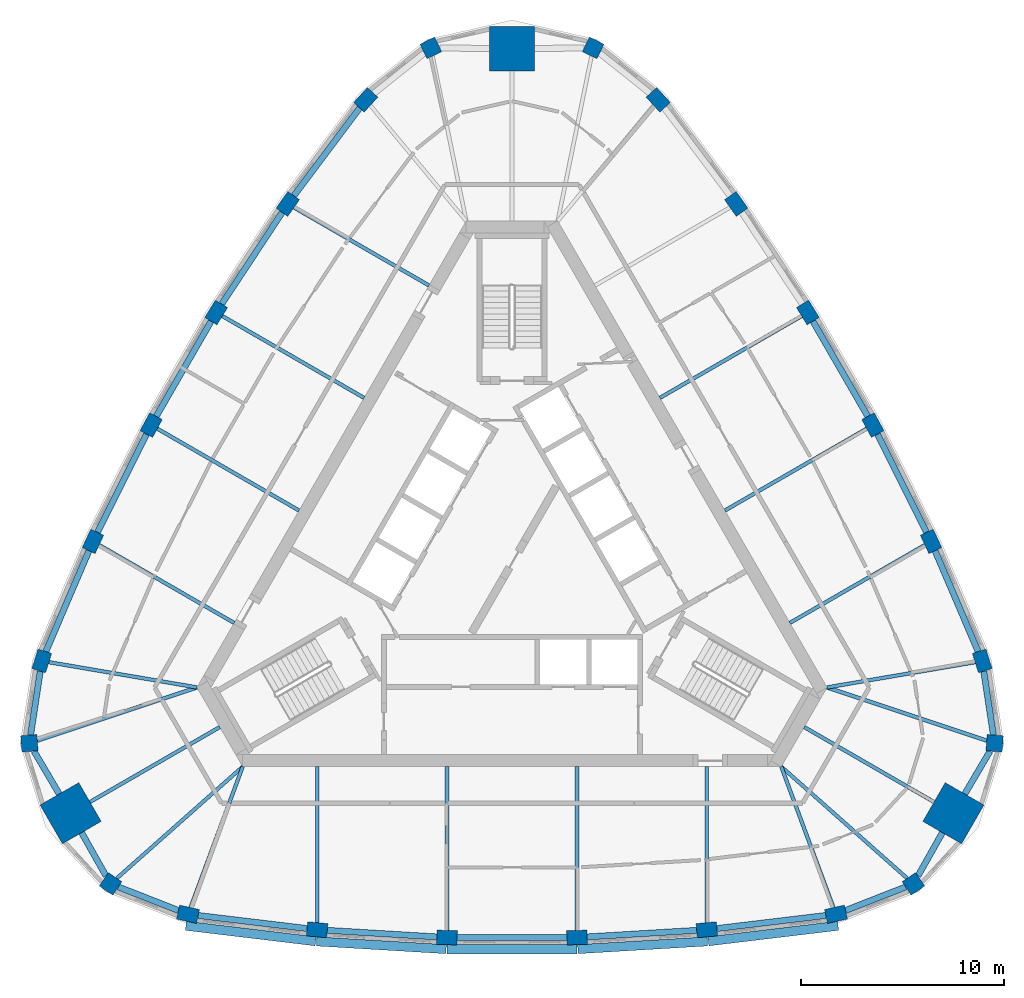
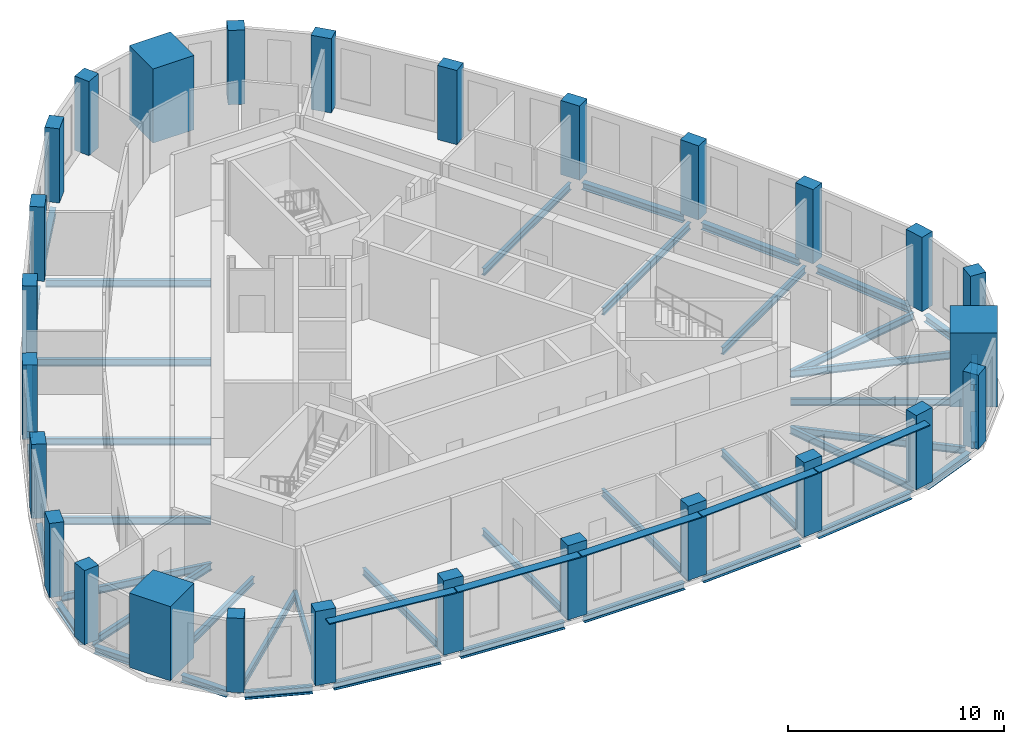
# One storey, part 1 of 10: 42 beams, 27 columns, 5 members.
"""IFC4 building model written with IfcOpenShell, lengths in metres."""

from ifc_helpers import new_model, si_unit, direction, frame, origin, origin_2d, place, context, subcontext, project, spatial, rectangle, i_section, extrude, material, material_profile, profile_set, type_object, element, save


model = new_model("IFC4")

# Units and contexts
model_context = context("Model", 3, precision=1e-05, world=origin(), true_north=direction((0.0, 1.0)))
body_context = subcontext(model_context, "Body", "Model", "MODEL_VIEW")
ifc_project = project(units=[si_unit("LENGTHUNIT", "METRE"), si_unit("AREAUNIT", "SQUARE_METRE"), si_unit("VOLUMEUNIT", "CUBIC_METRE"), si_unit("PLANEANGLEUNIT", "RADIAN"), si_unit("MASSUNIT", "GRAM", prefix="KILO")], contexts=[model_context])

# Site, building, storey
site_placement = place(None, origin())
site = spatial("IfcSite", under=ifc_project, at=site_placement, CompositionType="ELEMENT")
building_placement = place(site_placement, origin())
building = spatial("IfcBuilding", under=site, at=building_placement, Name="Mestral Congress Tower", CompositionType="ELEMENT")
storey_placement = place(building_placement, frame((0.0, 0.0, 267.0)))
storey = spatial("IfcBuildingStorey", under=building, at=storey_placement, Name="L62", CompositionType="ELEMENT", Elevation=267.0)

# Columns
ifc_material_1 = material(Name="Concrete C60/75", Category="concrete")
ifc_material_profile_1 = material_profile(ifc_material_1, rectangle(XDim=1.0, YDim=0.699951171875, at=origin_2d()), Name="RC 1000x700")
ifc_profile_set_1 = profile_set([ifc_material_profile_1], Name="Concrete C60/75")
column_type_1 = type_object("IfcColumnType", Name="Column RC 1000x700 C60/75", PredefinedType="COLUMN", material=ifc_profile_set_1)
for number, where, z_axis, x_axis, name in (
    (1, (-15.940673828125, -17.511962890625, 0.0), (0.0, 0.0, 1.0), (0.976233636503, -0.216720758026, 0.0), "COL-L62-C5-S00"),
    (2, (-9.587158203125, -18.273681640625, 0.0), (0.0, 0.0, 1.0), (0.995997816519, -0.089377567035, 0.0), "COL-L62-C5-S01"),
    (3, (-3.199462890625, -18.6552734375, 0.0), (0.0, 0.0, 1.0), (0.999555031657, -0.029828487872, 0.0), "COL-L62-C5-S02"),
    (4, (3.199462890625, -18.6552734375, 0.0), (0.0, 0.0, 1.0), (0.999555031657, 0.029828487872, 0.0), "COL-L62-C5-S03"),
    (5, (9.587158203125, -18.273681640625, 0.0), (0.0, 0.0, 1.0), (0.995997816519, 0.089377567035, 0.0), "COL-L62-C5-S04"),
    (6, (15.940673828125, -17.511962890625, 0.0), (0.0, 0.0, 1.0), (0.976233636503, 0.216720758026, 0.0), "COL-L62-C5-S05"),
    (7, (23.135986328125, -5.049072265625, 0.0), (0.0, 0.0, 1.0), (-0.300431136274, 0.953803508254, 0.0), "COL-L62-C5-E00"),
    (8, (20.618896484375, 0.833984375, 0.0), (0.0, 0.0, 1.0), (-0.420595664679, 0.907248194737, 0.0), "COL-L62-C5-E01"),
    (9, (17.755615234375, 6.556640625, 0.0), (0.0, 0.0, 1.0), (-0.473945287575, 0.880554293832, 0.0), "COL-L62-C5-E02"),
    (10, (14.55615234375, 12.098388671875, 0.0), (0.0, 0.0, 1.0), (-0.525609744083, 0.850725805959, 0.0), "COL-L62-C5-E03"),
    (11, (11.031982421875, 17.439697265625, 0.0), (0.0, 0.0, 1.0), (-0.57540215184, 0.817870627702, 0.0), "COL-L62-C5-E04"),
    (12, (7.1953125, 22.56103515625, 0.0), (0.0, 0.0, 1.0), (-0.67580250023, 0.737082750228, 0.0), "COL-L62-C5-E05"),
    (13, (-7.1953125, 22.56103515625, 0.0), (0.0, 0.0, 1.0), (-0.67580250023, -0.737082750228, 0.0), "COL-L62-C5-W00"),
    (14, (-11.031982421875, 17.439697265625, 0.0), (0.0, 0.0, 1.0), (-0.57540215184, -0.817870627702, 0.0), "COL-L62-C5-W01"),
    (15, (-14.55615234375, 12.098388671875, 0.0), (0.0, 0.0, 1.0), (-0.525609744083, -0.850725805959, 0.0), "COL-L62-C5-W02"),
    (16, (-17.755615234375, 6.556640625, 0.0), (0.0, 0.0, 1.0), (-0.473945287575, -0.880554293832, 0.0), "COL-L62-C5-W03"),
    (17, (-20.618896484375, 0.833984375, 0.0), (0.0, 0.0, 1.0), (-0.420595664679, -0.907248194737, 0.0), "COL-L62-C5-W04"),
    (18, (-23.135986328125, -5.049072265625, 0.0), (0.0, 0.0, 1.0), (-0.300431136274, -0.953803508254, 0.0), "COL-L62-C5-W05"),
):
    element("IfcColumn", number, at=place(storey_placement, frame(where, z_axis=z_axis, x_axis=x_axis)), inside=storey, type_object=column_type_1, Name=name, PredefinedType="COLUMN", context=body_context, shape_type="SweptSolid", body=[
        extrude(rectangle(XDim=1.0, YDim=0.699951171875, at=origin_2d()), origin(), (0.0, 0.0, 1.0), 4.199951171875),
    ])
ifc_material_profile_2 = material_profile(ifc_material_1, rectangle(XDim=0.800048828125, YDim=0.800048828125, at=origin_2d()), Name="RC 800x800")
ifc_profile_set_2 = profile_set([ifc_material_profile_2], Name="Concrete C60/75")
column_type_2 = type_object("IfcColumnType", Name="Column RC 800x800 C60/75", PredefinedType="COLUMN", material=ifc_profile_set_2)
for number, where, z_axis, x_axis, name in (
    (19, (19.75439453125, -16.0166015625, 0.0), (0.0, 0.0, 1.0), (0.826362775296, 0.563138139008, 0.0), "COL-L62-C5-SE1"),
    (20, (23.748046875, -9.099609375, 0.0), (0.0, 0.0, 1.0), (0.074510546573, 0.997220225652, 0.0), "COL-L62-C5-SE3"),
    (21, (3.993408203125, 25.1162109375, 0.0), (0.0, 0.0, 1.0), (-0.900873321869, 0.434082086644, 0.0), "COL-L62-C5-N1"),
    (22, (-3.993408203125, 25.1162109375, 0.0), (0.0, 0.0, 1.0), (-0.900873321869, -0.434082086644, 0.0), "COL-L62-C5-N3"),
    (23, (-23.748046875, -9.099609375, 0.0), (0.0, 0.0, 1.0), (0.074510546573, -0.997220225652, 0.0), "COL-L62-C5-SW1"),
    (24, (-19.75439453125, -16.0166015625, 0.0), (0.0, 0.0, 1.0), (0.826362775296, -0.563138139008, 0.0), "COL-L62-C5-SW3"),
):
    element("IfcColumn", number, at=place(storey_placement, frame(where, z_axis=z_axis, x_axis=x_axis)), inside=storey, type_object=column_type_2, Name=name, PredefinedType="COLUMN", context=body_context, shape_type="SweptSolid", body=[
        extrude(rectangle(XDim=0.800048828125, YDim=0.800048828125, at=origin_2d()), origin(), (0.0, 0.0, 1.0), 4.199951171875),
    ])
ifc_material_profile_3 = material_profile(ifc_material_1, rectangle(XDim=2.199951171875, YDim=2.199951171875, at=origin_2d()), Name="RC 2200x2200")
ifc_profile_set_3 = profile_set([ifc_material_profile_3], Name="Concrete C60/75")
column_type_3 = type_object("IfcColumnType", Name="Mega column RC 2200x2200 C60/75", PredefinedType="COLUMN", material=ifc_profile_set_3)
for number, where, z_axis, x_axis, name in (
    (25, (21.71826171875, -12.5390625, 0.0), (0.0, 0.0, 1.0), (0.866025403784, -0.5, 0.0), "COL-L62-PY5-SE"),
    (26, (0.0, 25.078125, 0.0), (0.0, 0.0, 1.0), (0.0, 1.0, 0.0), "COL-L62-PY5-N"),
    (27, (-21.71826171875, -12.5390625, 0.0), (0.0, 0.0, 1.0), (-0.866025403784, -0.5, 0.0), "COL-L62-PY5-SW"),
):
    element("IfcColumn", number, at=place(storey_placement, frame(where, z_axis=z_axis, x_axis=x_axis)), inside=storey, type_object=column_type_3, Name=name, PredefinedType="COLUMN", context=body_context, shape_type="SweptSolid", body=[
        extrude(rectangle(XDim=2.199951171875, YDim=2.199951171875, at=origin_2d()), origin(), (0.0, 0.0, 1.0), 4.199951171875),
    ])

# Members
ifc_material_2 = material(Name="Glazed ceramic", Category="masonry")
ifc_material_profile_4 = material_profile(ifc_material_2, rectangle(XDim=0.449951171875, YDim=0.06005859375, at=origin_2d()), Name="Ceramic blade 450 x 60")
ifc_profile_set_4 = profile_set([ifc_material_profile_4], Name="Glazed ceramic")
member_type = type_object("IfcMemberType", Name="Facade sunshade blade 450 x 60", PredefinedType="USERDEFINED", material=ifc_profile_set_4)
member_1_placement = place(storey_placement, frame((-16.04638671875, -18.078369140625, 3.679931640625), z_axis=(0.992890306953, -0.119032929725, 0.0), x_axis=(0.119032929725, 0.992890306953, 0.0)))
element("IfcMember", 28, at=member_1_placement, inside=storey, type_object=member_type, Name="Sunshade F0-00", ObjectType="SUNSHADE", PredefinedType="USERDEFINED", context=body_context, shape_type="SweptSolid", body=[
    extrude(rectangle(XDim=0.449951171875, YDim=0.06005859375, at=origin_2d()), origin(), (0.0, 0.0, 1.0), 6.429931640625),
])
member_2_placement = place(storey_placement, frame((-9.614990234375, -18.84814453125, 3.679931640625), z_axis=(0.998222174469, -0.059602771735, 0.0), x_axis=(0.059602771735, 0.998222174469, 0.0)))
element("IfcMember", 29, at=member_2_placement, inside=storey, type_object=member_type, Name="Sunshade F0-01", ObjectType="SUNSHADE", PredefinedType="USERDEFINED", context=body_context, shape_type="SweptSolid", body=[
    extrude(rectangle(XDim=0.449951171875, YDim=0.06005859375, at=origin_2d()), origin(), (0.0, 0.0, 1.0), 6.385986328125),
])
member_3_placement = place(storey_placement, frame((-3.193115234375, -19.230224609375, 3.679931640625), z_axis=(1.0, 0.0, 0.0), x_axis=(0.0, 1.0, 0.0)))
element("IfcMember", 30, at=member_3_placement, inside=storey, type_object=member_type, Name="Sunshade F0-02", ObjectType="SUNSHADE", PredefinedType="USERDEFINED", context=body_context, shape_type="SweptSolid", body=[
    extrude(rectangle(XDim=0.449951171875, YDim=0.06005859375, at=origin_2d()), origin(), (0.0, 0.0, 1.0), 6.38623046875),
])
member_4_placement = place(storey_placement, frame((3.240478515625, -19.228759765625, 3.679931640625), z_axis=(0.998222174469, 0.059602771735, 0.0), x_axis=(-0.059602771735, 0.998222174469, 0.0)))
element("IfcMember", 31, at=member_4_placement, inside=storey, type_object=member_type, Name="Sunshade F0-03", ObjectType="SUNSHADE", PredefinedType="USERDEFINED", context=body_context, shape_type="SweptSolid", body=[
    extrude(rectangle(XDim=0.449951171875, YDim=0.06005859375, at=origin_2d()), origin(), (0.0, 0.0, 1.0), 6.385986328125),
])
member_5_placement = place(storey_placement, frame((9.662109375, -18.84375, 3.679931640625), z_axis=(0.992890306953, 0.119032929725, 0.0), x_axis=(-0.119032929725, 0.992890306953, 0.0)))
element("IfcMember", 32, at=member_5_placement, inside=storey, type_object=member_type, Name="Sunshade F0-04", ObjectType="SUNSHADE", PredefinedType="USERDEFINED", context=body_context, shape_type="SweptSolid", body=[
    extrude(rectangle(XDim=0.449951171875, YDim=0.06005859375, at=origin_2d()), origin(), (0.0, 0.0, 1.0), 6.429931640625),
])

# Beams
ifc_material_3 = material(Name="Steel S355", Category="steel")
ifc_material_profile_5 = material_profile(ifc_material_3, i_section(OverallWidth=0.179931640625, OverallDepth=0.39990234375, WebThickness=0.008544921875, FlangeThickness=0.013427734375, FilletRadius=0.02099609375, at=origin_2d()), Name="IPE 400")
ifc_profile_set_5 = profile_set([ifc_material_profile_5], Name="Steel S355")
beam_type_1 = type_object("IfcBeamType", Name="Floor beam IPE 400 S355", PredefinedType="BEAM", material=ifc_profile_set_5)
beam_1_placement = place(storey_placement, frame((-15.81787109375, -17.1806640625, -0.449951171875), z_axis=(0.347399345496, 0.937717278687, 0.0), x_axis=(-0.937717278687, 0.347399345496, 0.0)))
element("IfcBeam", 33, at=beam_1_placement, inside=storey, type_object=beam_type_1, Name="BM-L62-RB5-S00", PredefinedType="BEAM", context=body_context, shape_type="SweptSolid", body=[
    extrude(i_section(OverallWidth=0.179931640625, OverallDepth=0.39990234375, WebThickness=0.008544921875, FlangeThickness=0.013427734375, FilletRadius=0.02099609375, at=origin_2d()), origin(), (0.0, 0.0, 1.0), 7.39111328125),
])
beam_2_placement = place(storey_placement, frame((-9.587158203125, -17.92236328125, -0.449951171875), z_axis=(0.0, 1.0, 0.0), x_axis=(-1.0, 0.0, 0.0)))
element("IfcBeam", 34, at=beam_2_placement, inside=storey, type_object=beam_type_1, Name="BM-L62-RB5-S01", PredefinedType="BEAM", context=body_context, shape_type="SweptSolid", body=[
    extrude(i_section(OverallWidth=0.179931640625, OverallDepth=0.39990234375, WebThickness=0.008544921875, FlangeThickness=0.013427734375, FilletRadius=0.02099609375, at=origin_2d()), origin(), (0.0, 0.0, 1.0), 7.67236328125),
])
for number, where, z_axis, x_axis, name in (
    (35, (-3.199462890625, -18.304931640625, -0.449951171875), (0.0, 1.0, 0.0), (-1.0, 0.0, 0.0), "BM-L62-RB5-S02"),
    (36, (3.199462890625, -18.304931640625, -0.449951171875), (0.0, 1.0, 0.0), (-1.0, 0.0, 0.0), "BM-L62-RB5-S03"),
):
    element("IfcBeam", number, at=place(storey_placement, frame(where, z_axis=z_axis, x_axis=x_axis)), inside=storey, type_object=beam_type_1, Name=name, PredefinedType="BEAM", context=body_context, shape_type="SweptSolid", body=[
        extrude(i_section(OverallWidth=0.179931640625, OverallDepth=0.39990234375, WebThickness=0.008544921875, FlangeThickness=0.013427734375, FilletRadius=0.02099609375, at=origin_2d()), origin(), (0.0, 0.0, 1.0), 8.054931640625),
    ])
beam_3_placement = place(storey_placement, frame((9.587158203125, -17.92236328125, -0.449951171875), z_axis=(0.0, 1.0, 0.0), x_axis=(-1.0, 0.0, 0.0)))
element("IfcBeam", 37, at=beam_3_placement, inside=storey, type_object=beam_type_1, Name="BM-L62-RB5-S04", PredefinedType="BEAM", context=body_context, shape_type="SweptSolid", body=[
    extrude(i_section(OverallWidth=0.179931640625, OverallDepth=0.39990234375, WebThickness=0.008544921875, FlangeThickness=0.013427734375, FilletRadius=0.02099609375, at=origin_2d()), origin(), (0.0, 0.0, 1.0), 7.67236328125),
])
beam_4_placement = place(storey_placement, frame((15.81787109375, -17.1806640625, -0.449951171875), z_axis=(-0.347399345496, 0.937717278687, 0.0), x_axis=(-0.937717278687, -0.347399345496, 0.0)))
element("IfcBeam", 38, at=beam_4_placement, inside=storey, type_object=beam_type_1, Name="BM-L62-RB5-S05", PredefinedType="BEAM", context=body_context, shape_type="SweptSolid", body=[
    extrude(i_section(OverallWidth=0.179931640625, OverallDepth=0.39990234375, WebThickness=0.008544921875, FlangeThickness=0.013427734375, FilletRadius=0.02099609375, at=origin_2d()), origin(), (0.0, 0.0, 1.0), 7.39111328125),
])
beam_5_placement = place(storey_placement, frame((19.44580078125, -15.742919921875, -0.449951171875), z_axis=(-0.74826277439, 0.663402457383, 0.0), x_axis=(-0.663402457383, -0.74826277439, 0.0)))
element("IfcBeam", 39, at=beam_5_placement, inside=storey, type_object=beam_type_1, Name="BM-L62-RB5-SE1", PredefinedType="BEAM", context=body_context, shape_type="SweptSolid", body=[
    extrude(i_section(OverallWidth=0.179931640625, OverallDepth=0.39990234375, WebThickness=0.008544921875, FlangeThickness=0.013427734375, FilletRadius=0.02099609375, at=origin_2d()), origin(), (0.0, 0.0, 1.0), 8.280029296875),
])
beam_6_placement = place(storey_placement, frame((20.765625, -11.989013671875, -0.449951171875), z_axis=(-0.866031296205, 0.499989793889, 0.0), x_axis=(-0.499989793889, -0.866031296205, 0.0)))
element("IfcBeam", 40, at=beam_6_placement, inside=storey, type_object=beam_type_1, Name="BM-L62-RB5-SE", PredefinedType="BEAM", context=body_context, shape_type="SweptSolid", body=[
    extrude(i_section(OverallWidth=0.179931640625, OverallDepth=0.39990234375, WebThickness=0.008544921875, FlangeThickness=0.013427734375, FilletRadius=0.02099609375, at=origin_2d()), origin(), (0.0, 0.0, 1.0), 7.378173828125),
])
beam_7_placement = place(storey_placement, frame((23.356689453125, -8.968994140625, -0.449951171875), z_axis=(-0.948659706446, 0.316298532031, 0.0), x_axis=(-0.316298532031, -0.948659706446, 0.0)))
element("IfcBeam", 41, at=beam_7_placement, inside=storey, type_object=beam_type_1, Name="BM-L62-RB5-SE3", PredefinedType="BEAM", context=body_context, shape_type="SweptSolid", body=[
    extrude(i_section(OverallWidth=0.179931640625, OverallDepth=0.39990234375, WebThickness=0.008544921875, FlangeThickness=0.013427734375, FilletRadius=0.02099609375, at=origin_2d()), origin(), (0.0, 0.0, 1.0), 8.27978515625),
])
beam_8_placement = place(storey_placement, frame((22.787841796875, -5.1083984375, -0.449951171875), z_axis=(-0.985786503242, -0.168002886958, 0.0), x_axis=(0.168002886958, -0.985786503242, 0.0)))
element("IfcBeam", 42, at=beam_8_placement, inside=storey, type_object=beam_type_1, Name="BM-L62-RB5-E00", PredefinedType="BEAM", context=body_context, shape_type="SweptSolid", body=[
    extrude(i_section(OverallWidth=0.179931640625, OverallDepth=0.39990234375, WebThickness=0.008544921875, FlangeThickness=0.013427734375, FilletRadius=0.02099609375, at=origin_2d()), origin(), (0.0, 0.0, 1.0), 7.390869140625),
])
beam_9_placement = place(storey_placement, frame((20.314697265625, 0.658447265625, -0.449951171875), z_axis=(-0.866019720907, -0.500009842903, 0.0), x_axis=(0.500009842903, -0.866019720907, 0.0)))
element("IfcBeam", 43, at=beam_9_placement, inside=storey, type_object=beam_type_1, Name="BM-L62-RB5-E01", PredefinedType="BEAM", context=body_context, shape_type="SweptSolid", body=[
    extrude(i_section(OverallWidth=0.179931640625, OverallDepth=0.39990234375, WebThickness=0.008544921875, FlangeThickness=0.013427734375, FilletRadius=0.02099609375, at=origin_2d()), origin(), (0.0, 0.0, 1.0), 7.672119140625),
])
for number, where, z_axis, x_axis, name in (
    (44, (17.452392578125, 6.381591796875, -0.449951171875), (-0.866020537834, -0.500008427979, 0.0), (0.500008427979, -0.866020537834, 0.0), "BM-L62-RB5-E02"),
    (45, (14.2529296875, 11.92333984375, -0.449951171875), (-0.866033662086, -0.499985695929, 0.0), (0.499985695929, -0.866033662086, 0.0), "BM-L62-RB5-E03"),
):
    element("IfcBeam", number, at=place(storey_placement, frame(where, z_axis=z_axis, x_axis=x_axis)), inside=storey, type_object=beam_type_1, Name=name, PredefinedType="BEAM", context=body_context, shape_type="SweptSolid", body=[
        extrude(i_section(OverallWidth=0.179931640625, OverallDepth=0.39990234375, WebThickness=0.008544921875, FlangeThickness=0.013427734375, FilletRadius=0.02099609375, at=origin_2d()), origin(), (0.0, 0.0, 1.0), 8.054931640625),
    ])
beam_10_placement = place(storey_placement, frame((-10.7275390625, 17.263916015625, -0.449951171875), z_axis=(0.866019720907, -0.500009842903, 0.0), x_axis=(0.500009842903, 0.866019720907, 0.0)))
element("IfcBeam", 46, at=beam_10_placement, inside=storey, type_object=beam_type_1, Name="BM-L62-RB5-W01", PredefinedType="BEAM", context=body_context, shape_type="SweptSolid", body=[
    extrude(i_section(OverallWidth=0.179931640625, OverallDepth=0.39990234375, WebThickness=0.008544921875, FlangeThickness=0.013427734375, FilletRadius=0.02099609375, at=origin_2d()), origin(), (0.0, 0.0, 1.0), 7.672119140625),
])
for number, where, z_axis, x_axis, name in (
    (47, (-14.2529296875, 11.92333984375, -0.449951171875), (0.866033662086, -0.499985695929, 0.0), (0.499985695929, 0.866033662086, 0.0), "BM-L62-RB5-W02"),
    (48, (-17.452392578125, 6.381591796875, -0.449951171875), (0.866020537834, -0.500008427979, 0.0), (0.500008427979, 0.866020537834, 0.0), "BM-L62-RB5-W03"),
):
    element("IfcBeam", number, at=place(storey_placement, frame(where, z_axis=z_axis, x_axis=x_axis)), inside=storey, type_object=beam_type_1, Name=name, PredefinedType="BEAM", context=body_context, shape_type="SweptSolid", body=[
        extrude(i_section(OverallWidth=0.179931640625, OverallDepth=0.39990234375, WebThickness=0.008544921875, FlangeThickness=0.013427734375, FilletRadius=0.02099609375, at=origin_2d()), origin(), (0.0, 0.0, 1.0), 8.054931640625),
    ])
beam_11_placement = place(storey_placement, frame((-20.314697265625, 0.658447265625, -0.449951171875), z_axis=(0.866019720907, -0.500009842903, 0.0), x_axis=(0.500009842903, 0.866019720907, 0.0)))
element("IfcBeam", 49, at=beam_11_placement, inside=storey, type_object=beam_type_1, Name="BM-L62-RB5-W04", PredefinedType="BEAM", context=body_context, shape_type="SweptSolid", body=[
    extrude(i_section(OverallWidth=0.179931640625, OverallDepth=0.39990234375, WebThickness=0.008544921875, FlangeThickness=0.013427734375, FilletRadius=0.02099609375, at=origin_2d()), origin(), (0.0, 0.0, 1.0), 7.672119140625),
])
beam_12_placement = place(storey_placement, frame((-22.787841796875, -5.1083984375, -0.449951171875), z_axis=(0.985786503242, -0.168002886958, 0.0), x_axis=(0.168002886958, 0.985786503242, 0.0)))
element("IfcBeam", 50, at=beam_12_placement, inside=storey, type_object=beam_type_1, Name="BM-L62-RB5-W05", PredefinedType="BEAM", context=body_context, shape_type="SweptSolid", body=[
    extrude(i_section(OverallWidth=0.179931640625, OverallDepth=0.39990234375, WebThickness=0.008544921875, FlangeThickness=0.013427734375, FilletRadius=0.02099609375, at=origin_2d()), origin(), (0.0, 0.0, 1.0), 7.390869140625),
])
beam_13_placement = place(storey_placement, frame((-23.356689453125, -8.968994140625, -0.449951171875), z_axis=(0.948659706446, 0.316298532031, 0.0), x_axis=(-0.316298532031, 0.948659706446, 0.0)))
element("IfcBeam", 51, at=beam_13_placement, inside=storey, type_object=beam_type_1, Name="BM-L62-RB5-SW1", PredefinedType="BEAM", context=body_context, shape_type="SweptSolid", body=[
    extrude(i_section(OverallWidth=0.179931640625, OverallDepth=0.39990234375, WebThickness=0.008544921875, FlangeThickness=0.013427734375, FilletRadius=0.02099609375, at=origin_2d()), origin(), (0.0, 0.0, 1.0), 8.27978515625),
])
beam_14_placement = place(storey_placement, frame((-20.765625, -11.989013671875, -0.449951171875), z_axis=(0.866031296205, 0.499989793889, 0.0), x_axis=(-0.499989793889, 0.866031296205, 0.0)))
element("IfcBeam", 52, at=beam_14_placement, inside=storey, type_object=beam_type_1, Name="BM-L62-RB5-SW", PredefinedType="BEAM", context=body_context, shape_type="SweptSolid", body=[
    extrude(i_section(OverallWidth=0.179931640625, OverallDepth=0.39990234375, WebThickness=0.008544921875, FlangeThickness=0.013427734375, FilletRadius=0.02099609375, at=origin_2d()), origin(), (0.0, 0.0, 1.0), 7.378173828125),
])
beam_15_placement = place(storey_placement, frame((-19.44580078125, -15.742919921875, -0.449951171875), z_axis=(0.74826277439, 0.663402457383, 0.0), x_axis=(-0.663402457383, 0.74826277439, 0.0)))
element("IfcBeam", 53, at=beam_15_placement, inside=storey, type_object=beam_type_1, Name="BM-L62-RB5-SW3", PredefinedType="BEAM", context=body_context, shape_type="SweptSolid", body=[
    extrude(i_section(OverallWidth=0.179931640625, OverallDepth=0.39990234375, WebThickness=0.008544921875, FlangeThickness=0.013427734375, FilletRadius=0.02099609375, at=origin_2d()), origin(), (0.0, 0.0, 1.0), 8.280029296875),
])
ifc_material_profile_6 = material_profile(ifc_material_3, i_section(OverallWidth=0.300048828125, OverallDepth=0.389892578125, WebThickness=0.010986328125, FlangeThickness=0.01904296875, FilletRadius=0.027099609375, at=origin_2d()), Name="HEA 400")
ifc_profile_set_6 = profile_set([ifc_material_profile_6], Name="Steel S355")
beam_type_2 = type_object("IfcBeamType", Name="Spandrel beam HEA 400 S355", PredefinedType="BEAM", material=ifc_profile_set_6)
beam_16_placement = place(storey_placement, frame((-15.44189453125, -17.57177734375, -0.445068359375), z_axis=(0.992890319222, -0.119032827389, 0.0), x_axis=(0.119032827389, 0.992890319222, 0.0)))
element("IfcBeam", 54, at=beam_16_placement, inside=storey, type_object=beam_type_2, Name="SP-L62-SB5-S00", PredefinedType="BEAM", context=body_context, shape_type="SweptSolid", body=[
    extrude(i_section(OverallWidth=0.300048828125, OverallDepth=0.389892578125, WebThickness=0.010986328125, FlangeThickness=0.01904296875, FilletRadius=0.027099609375, at=origin_2d()), origin(), (0.0, 0.0, 1.0), 5.396240234375),
])
beam_17_placement = place(storey_placement, frame((-9.087890625, -18.303466796875, -0.445068359375), z_axis=(0.998219522722, -0.059647166371, 0.0), x_axis=(0.059647166371, 0.998219522722, 0.0)))
element("IfcBeam", 55, at=beam_17_placement, inside=storey, type_object=beam_type_2, Name="SP-L62-SB5-S01", PredefinedType="BEAM", context=body_context, shape_type="SweptSolid", body=[
    extrude(i_section(OverallWidth=0.300048828125, OverallDepth=0.389892578125, WebThickness=0.010986328125, FlangeThickness=0.01904296875, FilletRadius=0.027099609375, at=origin_2d()), origin(), (0.0, 0.0, 1.0), 5.398681640625),
])
beam_18_placement = place(storey_placement, frame((-2.69921875, -18.6552734375, -0.445068359375), z_axis=(1.0, 0.0, 0.0), x_axis=(0.0, 1.0, 0.0)))
element("IfcBeam", 56, at=beam_18_placement, inside=storey, type_object=beam_type_2, Name="SP-L62-SB5-S02", PredefinedType="BEAM", context=body_context, shape_type="SweptSolid", body=[
    extrude(i_section(OverallWidth=0.300048828125, OverallDepth=0.389892578125, WebThickness=0.010986328125, FlangeThickness=0.01904296875, FilletRadius=0.027099609375, at=origin_2d()), origin(), (0.0, 0.0, 1.0), 5.3984375),
])
beam_19_placement = place(storey_placement, frame((3.69873046875, -18.62548828125, -0.445068359375), z_axis=(0.998219522722, 0.059647166371, 0.0), x_axis=(-0.059647166371, 0.998219522722, 0.0)))
element("IfcBeam", 57, at=beam_19_placement, inside=storey, type_object=beam_type_2, Name="SP-L62-SB5-S03", PredefinedType="BEAM", context=body_context, shape_type="SweptSolid", body=[
    extrude(i_section(OverallWidth=0.300048828125, OverallDepth=0.389892578125, WebThickness=0.010986328125, FlangeThickness=0.01904296875, FilletRadius=0.027099609375, at=origin_2d()), origin(), (0.0, 0.0, 1.0), 5.398681640625),
])
beam_20_placement = place(storey_placement, frame((10.083984375, -18.214111328125, -0.445068359375), z_axis=(0.992890319222, 0.119032827389, 0.0), x_axis=(-0.119032827389, 0.992890319222, 0.0)))
element("IfcBeam", 58, at=beam_20_placement, inside=storey, type_object=beam_type_2, Name="SP-L62-SB5-S04", PredefinedType="BEAM", context=body_context, shape_type="SweptSolid", body=[
    extrude(i_section(OverallWidth=0.300048828125, OverallDepth=0.389892578125, WebThickness=0.010986328125, FlangeThickness=0.01904296875, FilletRadius=0.027099609375, at=origin_2d()), origin(), (0.0, 0.0, 1.0), 5.396240234375),
])
beam_21_placement = place(storey_placement, frame((16.411865234375, -17.3271484375, -0.445068359375), z_axis=(0.930980873283, 0.365067957485, 0.0), x_axis=(-0.365067957485, 0.930980873283, 0.0)))
element("IfcBeam", 59, at=beam_21_placement, inside=storey, type_object=beam_type_2, Name="SP-L62-SB5-S05", PredefinedType="BEAM", context=body_context, shape_type="SweptSolid", body=[
    extrude(i_section(OverallWidth=0.300048828125, OverallDepth=0.389892578125, WebThickness=0.010986328125, FlangeThickness=0.01904296875, FilletRadius=0.027099609375, at=origin_2d()), origin(), (0.0, 0.0, 1.0), 3.179931640625),
])
beam_22_placement = place(storey_placement, frame((19.9736328125, -15.628173828125, -0.445068359375), z_axis=(0.491728558518, 0.870748542771, 0.0), x_axis=(-0.870748542771, 0.491728558518, 0.0)))
element("IfcBeam", 60, at=beam_22_placement, inside=storey, type_object=beam_type_2, Name="SP-L62-SB5-SE1", PredefinedType="BEAM", context=body_context, shape_type="SweptSolid", body=[
    extrude(i_section(OverallWidth=0.300048828125, OverallDepth=0.389892578125, WebThickness=0.010986328125, FlangeThickness=0.01904296875, FilletRadius=0.027099609375, at=origin_2d()), origin(), (0.0, 0.0, 1.0), 2.44775390625),
])
beam_23_placement = place(storey_placement, frame((22.27734375, -11.591552734375, -0.445068359375), z_axis=(0.508218412694, 0.861228218882, 0.0), x_axis=(-0.861228218882, 0.508218412694, 0.0)))
element("IfcBeam", 61, at=beam_23_placement, inside=storey, type_object=beam_type_2, Name="SP-L62-SB5-SE", PredefinedType="BEAM", context=body_context, shape_type="SweptSolid", body=[
    extrude(i_section(OverallWidth=0.300048828125, OverallDepth=0.389892578125, WebThickness=0.010986328125, FlangeThickness=0.01904296875, FilletRadius=0.027099609375, at=origin_2d()), origin(), (0.0, 0.0, 1.0), 2.447509765625),
])
beam_24_placement = place(storey_placement, frame((23.686767578125, -8.69384765625, -0.445068359375), z_axis=(-0.149402818736, 0.98877641444, 0.0), x_axis=(-0.98877641444, -0.149402818736, 0.0)))
element("IfcBeam", 62, at=beam_24_placement, inside=storey, type_object=beam_type_2, Name="SP-L62-SB5-SE3", PredefinedType="BEAM", context=body_context, shape_type="SweptSolid", body=[
    extrude(i_section(OverallWidth=0.300048828125, OverallDepth=0.389892578125, WebThickness=0.010986328125, FlangeThickness=0.01904296875, FilletRadius=0.027099609375, at=origin_2d()), origin(), (0.0, 0.0, 1.0), 3.179931640625),
])
beam_25_placement = place(storey_placement, frame((22.9384765625, -4.587158203125, -0.445068359375), z_axis=(-0.393367759324, 0.919381208164, 0.0), x_axis=(-0.919381208164, -0.393367759324, 0.0)))
element("IfcBeam", 63, at=beam_25_placement, inside=storey, type_object=beam_type_2, Name="SP-L62-SB5-E00", PredefinedType="BEAM", context=body_context, shape_type="SweptSolid", body=[
    extrude(i_section(OverallWidth=0.300048828125, OverallDepth=0.389892578125, WebThickness=0.010986328125, FlangeThickness=0.01904296875, FilletRadius=0.027099609375, at=origin_2d()), origin(), (0.0, 0.0, 1.0), 5.396484375),
])
beam_26_placement = place(storey_placement, frame((20.395263671875, 1.281494140625, -0.445068359375), z_axis=(-0.44748491494, 0.894291479832, 0.0), x_axis=(-0.894291479832, -0.44748491494, 0.0)))
element("IfcBeam", 64, at=beam_26_placement, inside=storey, type_object=beam_type_2, Name="SP-L62-SB5-E01", PredefinedType="BEAM", context=body_context, shape_type="SweptSolid", body=[
    extrude(i_section(OverallWidth=0.300048828125, OverallDepth=0.389892578125, WebThickness=0.010986328125, FlangeThickness=0.01904296875, FilletRadius=0.027099609375, at=origin_2d()), origin(), (0.0, 0.0, 1.0), 5.3984375),
])
beam_27_placement = place(storey_placement, frame((17.505615234375, 6.989990234375, -0.445068359375), z_axis=(-0.500025177812, 0.86601086688, 0.0), x_axis=(-0.86601086688, -0.500025177812, 0.0)))
element("IfcBeam", 65, at=beam_27_placement, inside=storey, type_object=beam_type_2, Name="SP-L62-SB5-E02", PredefinedType="BEAM", context=body_context, shape_type="SweptSolid", body=[
    extrude(i_section(OverallWidth=0.300048828125, OverallDepth=0.389892578125, WebThickness=0.010986328125, FlangeThickness=0.01904296875, FilletRadius=0.027099609375, at=origin_2d()), origin(), (0.0, 0.0, 1.0), 5.398681640625),
])
beam_28_placement = place(storey_placement, frame((-7.49658203125, 22.158935546875, -0.445068359375), z_axis=(-0.599529393236, -0.800352738888, 0.0), x_axis=(0.800352738888, -0.599529393236, 0.0)))
element("IfcBeam", 66, at=beam_28_placement, inside=storey, type_object=beam_type_2, Name="SP-L62-SB5-W00", PredefinedType="BEAM", context=body_context, shape_type="SweptSolid", body=[
    extrude(i_section(OverallWidth=0.300048828125, OverallDepth=0.389892578125, WebThickness=0.010986328125, FlangeThickness=0.01904296875, FilletRadius=0.027099609375, at=origin_2d()), origin(), (0.0, 0.0, 1.0), 5.396484375),
])
beam_29_placement = place(storey_placement, frame((-11.307373046875, 17.02197265625, -0.445068359375), z_axis=(-0.550748957655, -0.83467094453, 0.0), x_axis=(0.83467094453, -0.550748957655, 0.0)))
element("IfcBeam", 67, at=beam_29_placement, inside=storey, type_object=beam_type_2, Name="SP-L62-SB5-W01", PredefinedType="BEAM", context=body_context, shape_type="SweptSolid", body=[
    extrude(i_section(OverallWidth=0.300048828125, OverallDepth=0.389892578125, WebThickness=0.010986328125, FlangeThickness=0.01904296875, FilletRadius=0.027099609375, at=origin_2d()), origin(), (0.0, 0.0, 1.0), 5.3984375),
])
beam_30_placement = place(storey_placement, frame((-14.80615234375, 11.665283203125, -0.445068359375), z_axis=(-0.500025177812, -0.86601086688, 0.0), x_axis=(0.86601086688, -0.500025177812, 0.0)))
element("IfcBeam", 68, at=beam_30_placement, inside=storey, type_object=beam_type_2, Name="SP-L62-SB5-W02", PredefinedType="BEAM", context=body_context, shape_type="SweptSolid", body=[
    extrude(i_section(OverallWidth=0.300048828125, OverallDepth=0.389892578125, WebThickness=0.010986328125, FlangeThickness=0.01904296875, FilletRadius=0.027099609375, at=origin_2d()), origin(), (0.0, 0.0, 1.0), 5.398681640625),
])
beam_31_placement = place(storey_placement, frame((-17.9794921875, 6.109375, -0.445068359375), z_axis=(-0.44748491494, -0.894291479832, 0.0), x_axis=(0.894291479832, -0.44748491494, 0.0)))
element("IfcBeam", 69, at=beam_31_placement, inside=storey, type_object=beam_type_2, Name="SP-L62-SB5-W03", PredefinedType="BEAM", context=body_context, shape_type="SweptSolid", body=[
    extrude(i_section(OverallWidth=0.300048828125, OverallDepth=0.389892578125, WebThickness=0.010986328125, FlangeThickness=0.01904296875, FilletRadius=0.027099609375, at=origin_2d()), origin(), (0.0, 0.0, 1.0), 5.3984375),
])
beam_32_placement = place(storey_placement, frame((-20.815673828125, 0.374267578125, -0.445068359375), z_axis=(-0.393367759324, -0.919381208164, 0.0), x_axis=(0.919381208164, -0.393367759324, 0.0)))
element("IfcBeam", 70, at=beam_32_placement, inside=storey, type_object=beam_type_2, Name="SP-L62-SB5-W04", PredefinedType="BEAM", context=body_context, shape_type="SweptSolid", body=[
    extrude(i_section(OverallWidth=0.300048828125, OverallDepth=0.389892578125, WebThickness=0.010986328125, FlangeThickness=0.01904296875, FilletRadius=0.027099609375, at=origin_2d()), origin(), (0.0, 0.0, 1.0), 5.396484375),
])
beam_33_placement = place(storey_placement, frame((-23.211669921875, -5.549560546875, -0.445068359375), z_axis=(-0.149402818736, -0.98877641444, 0.0), x_axis=(0.98877641444, -0.149402818736, 0.0)))
element("IfcBeam", 71, at=beam_33_placement, inside=storey, type_object=beam_type_2, Name="SP-L62-SB5-W05", PredefinedType="BEAM", context=body_context, shape_type="SweptSolid", body=[
    extrude(i_section(OverallWidth=0.300048828125, OverallDepth=0.389892578125, WebThickness=0.010986328125, FlangeThickness=0.01904296875, FilletRadius=0.027099609375, at=origin_2d()), origin(), (0.0, 0.0, 1.0), 3.179931640625),
])
beam_34_placement = place(storey_placement, frame((-23.521240234375, -9.483642578125, -0.445068359375), z_axis=(0.508218412694, -0.861228218882, 0.0), x_axis=(0.861228218882, 0.508218412694, 0.0)))
element("IfcBeam", 72, at=beam_34_placement, inside=storey, type_object=beam_type_2, Name="SP-L62-SB5-SW1", PredefinedType="BEAM", context=body_context, shape_type="SweptSolid", body=[
    extrude(i_section(OverallWidth=0.300048828125, OverallDepth=0.389892578125, WebThickness=0.010986328125, FlangeThickness=0.01904296875, FilletRadius=0.027099609375, at=origin_2d()), origin(), (0.0, 0.0, 1.0), 2.447509765625),
])
beam_35_placement = place(storey_placement, frame((-21.17724609375, -13.496826171875, -0.445068359375), z_axis=(0.491728558518, -0.870748542771, 0.0), x_axis=(0.870748542771, 0.491728558518, 0.0)))
element("IfcBeam", 73, at=beam_35_placement, inside=storey, type_object=beam_type_2, Name="SP-L62-SB5-SW", PredefinedType="BEAM", context=body_context, shape_type="SweptSolid", body=[
    extrude(i_section(OverallWidth=0.300048828125, OverallDepth=0.389892578125, WebThickness=0.010986328125, FlangeThickness=0.01904296875, FilletRadius=0.027099609375, at=origin_2d()), origin(), (0.0, 0.0, 1.0), 2.44775390625),
])
beam_36_placement = place(storey_placement, frame((-19.372314453125, -16.166259765625, -0.445068359375), z_axis=(0.930980873283, -0.365067957485, 0.0), x_axis=(0.365067957485, 0.930980873283, 0.0)))
element("IfcBeam", 74, at=beam_36_placement, inside=storey, type_object=beam_type_2, Name="SP-L62-SB5-SW3", PredefinedType="BEAM", context=body_context, shape_type="SweptSolid", body=[
    extrude(i_section(OverallWidth=0.300048828125, OverallDepth=0.389892578125, WebThickness=0.010986328125, FlangeThickness=0.01904296875, FilletRadius=0.027099609375, at=origin_2d()), origin(), (0.0, 0.0, 1.0), 3.179931640625),
])

save(model, "model.ifc")
